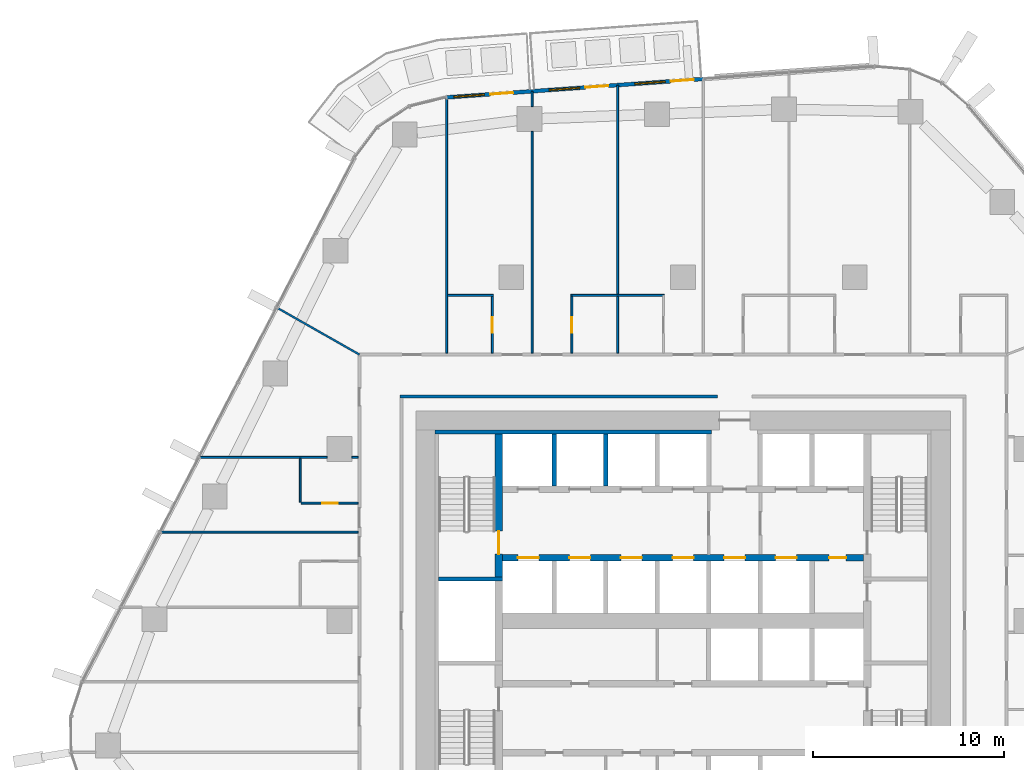
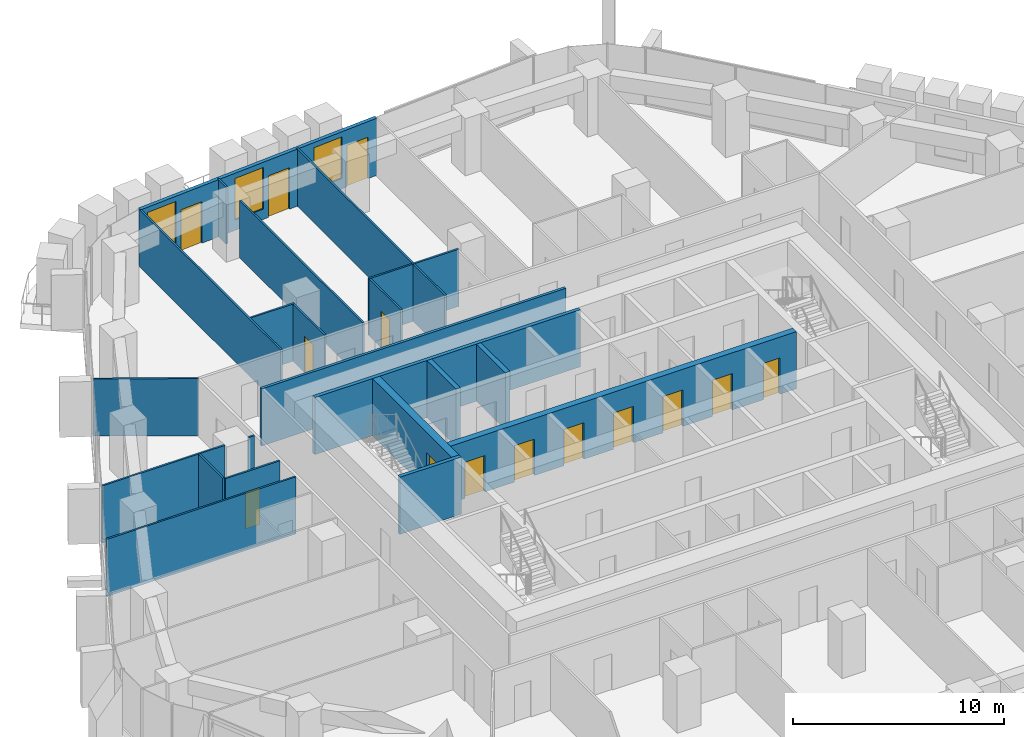
# One storey, part 15 of 24: 24 walls, 14 doors, 3 windows, 17 openings.
"""IFC4 building model written with IfcOpenShell, lengths in metres."""

from ifc_helpers import new_model, si_unit, direction, frame, frame_2d, origin, place, context, subcontext, project, spatial, rectangle, extrude, material, layer, layer_set, type_object, element, fill, save


model = new_model("IFC4")

# Units and contexts
model_context = context("Model", 3, precision=1e-05, world=origin(), true_north=direction((0.0, 1.0)))
body_context = subcontext(model_context, "Body", "Model", "MODEL_VIEW")
ifc_project = project(units=[si_unit("LENGTHUNIT", "METRE"), si_unit("AREAUNIT", "SQUARE_METRE"), si_unit("VOLUMEUNIT", "CUBIC_METRE"), si_unit("PLANEANGLEUNIT", "RADIAN"), si_unit("MASSUNIT", "GRAM", prefix="KILO")], contexts=[model_context])

# Site, building, storey
site_placement = place(None, origin())
site = spatial("IfcSite", under=ifc_project, at=site_placement, CompositionType="ELEMENT")
building_placement = place(site_placement, origin())
building = spatial("IfcBuilding", under=site, at=building_placement, Name="Dongbaek Canopy Tower", CompositionType="ELEMENT")
storey_placement = place(building_placement, frame((0.0, 0.0, 106.300048828125)))
storey = spatial("IfcBuildingStorey", under=building, at=storey_placement, Name="L22", CompositionType="ELEMENT", Elevation=106.300048828125)

# Wall, openings, doors
ifc_material_1 = material(Name="Concrete C60/75", Category="concrete")
ifc_layer_1 = layer(ifc_material_1, 0.35009765625)
ifc_layer_set_1 = layer_set([ifc_layer_1], Name="Core lobby wall 350 Concrete C60/75")
wall_type_1 = type_object("IfcWallType", Name="Core lobby wall 350 Concrete C60/75", PredefinedType="SHEAR", material=ifc_layer_set_1)
wall_1_placement = place(storey_placement, frame((9.449951171875, 3.300048828125, 0.0), z_axis=(0.0, 0.0, 1.0), x_axis=(-1.0, 0.0, 0.0)))
wall_1 = element("IfcWall", 1, at=wall_1_placement, inside=storey, type_object=wall_type_1, Name="Core wall", PredefinedType="SHEAR", context=body_context, shape_type="SweptSolid", body=[
    extrude(rectangle(XDim=18.89990234375, YDim=0.35009765625, at=frame_2d((9.449951171875, 0.0))), origin(), (0.0, 0.0, 1.0), 3.300048828125),
])
opening_1_placement = place(wall_1_placement, frame((17.0, 0.0, 0.0)))
opening_1 = element("IfcOpeningElement", 2, at=opening_1_placement, cuts=wall_1, Name="Opening L22-D050", PredefinedType="OPENING", context=body_context, shape_type="SweptSolid", body=[
    extrude(rectangle(XDim=1.10009765625, YDim=2.10009765625, at=frame_2d((0.550048828125, 1.050048828125))), frame((0.0, 0.18505859375, 0.0), z_axis=(0.0, -1.0, 0.0), x_axis=(1.0, 0.0, 0.0)), (0.0, 0.0, 1.0), 0.3701171875),
])
opening_2_placement = place(wall_1_placement, frame((14.300048828125, 0.0, 0.0)))
opening_2 = element("IfcOpeningElement", 3, at=opening_2_placement, cuts=wall_1, Name="Opening L22-D051", PredefinedType="OPENING", context=body_context, shape_type="SweptSolid", body=[
    extrude(rectangle(XDim=1.10009765625, YDim=2.10009765625, at=frame_2d((0.550048828125, 1.050048828125))), frame((0.0, 0.18505859375, 0.0), z_axis=(0.0, -1.0, 0.0), x_axis=(1.0, 0.0, 0.0)), (0.0, 0.0, 1.0), 0.3701171875),
])
opening_3_placement = place(wall_1_placement, frame((11.60009765625, 0.0, 0.0)))
opening_3 = element("IfcOpeningElement", 4, at=opening_3_placement, cuts=wall_1, Name="Opening L22-D052", PredefinedType="OPENING", context=body_context, shape_type="SweptSolid", body=[
    extrude(rectangle(XDim=1.10009765625, YDim=2.10009765625, at=frame_2d((0.550048828125, 1.050048828125))), frame((0.0, 0.18505859375, 0.0), z_axis=(0.0, -1.0, 0.0), x_axis=(1.0, 0.0, 0.0)), (0.0, 0.0, 1.0), 0.3701171875),
])
opening_4_placement = place(wall_1_placement, frame((8.89990234375, 0.0, 0.0)))
opening_4 = element("IfcOpeningElement", 5, at=opening_4_placement, cuts=wall_1, Name="Opening L22-D053", PredefinedType="OPENING", context=body_context, shape_type="SweptSolid", body=[
    extrude(rectangle(XDim=1.10009765625, YDim=2.10009765625, at=frame_2d((0.550048828125, 1.050048828125))), frame((0.0, 0.18505859375, 0.0), z_axis=(0.0, -1.0, 0.0), x_axis=(1.0, 0.0, 0.0)), (0.0, 0.0, 1.0), 0.3701171875),
])
opening_5_placement = place(wall_1_placement, frame((6.199951171875, 0.0, 0.0)))
opening_5 = element("IfcOpeningElement", 6, at=opening_5_placement, cuts=wall_1, Name="Opening L22-D054", PredefinedType="OPENING", context=body_context, shape_type="SweptSolid", body=[
    extrude(rectangle(XDim=1.10009765625, YDim=2.10009765625, at=frame_2d((0.550048828125, 1.050048828125))), frame((0.0, 0.18505859375, 0.0), z_axis=(0.0, -1.0, 0.0), x_axis=(1.0, 0.0, 0.0)), (0.0, 0.0, 1.0), 0.3701171875),
])
opening_6_placement = place(wall_1_placement, frame((3.5, 0.0, 0.0)))
opening_6 = element("IfcOpeningElement", 7, at=opening_6_placement, cuts=wall_1, Name="Opening L22-D055", PredefinedType="OPENING", context=body_context, shape_type="SweptSolid", body=[
    extrude(rectangle(XDim=1.10009765625, YDim=2.10009765625, at=frame_2d((0.550048828125, 1.050048828125))), frame((0.0, 0.18505859375, 0.0), z_axis=(0.0, -1.0, 0.0), x_axis=(1.0, 0.0, 0.0)), (0.0, 0.0, 1.0), 0.3701171875),
])
opening_7_placement = place(wall_1_placement, frame((0.89990234375, 0.0, 0.0)))
opening_7 = element("IfcOpeningElement", 8, at=opening_7_placement, cuts=wall_1, Name="Opening L22-D056", PredefinedType="OPENING", context=body_context, shape_type="SweptSolid", body=[
    extrude(rectangle(XDim=0.89990234375, YDim=2.10009765625, at=frame_2d((0.449951171875, 1.050048828125))), frame((0.0, 0.18505859375, 0.0), z_axis=(0.0, -1.0, 0.0), x_axis=(1.0, 0.0, 0.0)), (0.0, 0.0, 1.0), 0.3701171875),
])
ifc_material_2 = material(Name="Steel", Category="steel")
door_type_1 = type_object("IfcDoorType", Name="Core room door 900 x 2100", OperationType="SINGLE_SWING_LEFT", PredefinedType="DOOR", material=ifc_material_2)
door_1_placement = place(opening_7_placement, origin())
door_1 = element("IfcDoor", 9, at=door_1_placement, inside=storey, type_object=door_type_1, Name="Door L22-D056", OperationType="SINGLE_SWING_LEFT", OverallHeight=2.10009765625, OverallWidth=0.89990234375, PredefinedType="DOOR", context=body_context, shape_type="SweptSolid", body=[
    extrude(rectangle(XDim=0.89990234375, YDim=2.10009765625, at=frame_2d((0.449951171875, 1.050048828125))), frame((0.0, 0.02490234375, 0.0), z_axis=(0.0, -1.0, 0.0), x_axis=(1.0, 0.0, 0.0)), (0.0, 0.0, 1.0), 0.050048828125),
])
fill(opening_7, door_1)
ifc_material_3 = material(Name="Stainless steel", Category="steel")
door_type_2 = type_object("IfcDoorType", Name="Lift landing door 1100 x 2100", OperationType="DOUBLE_DOOR_SLIDING", PredefinedType="DOOR", material=ifc_material_3)
door_2_placement = place(opening_1_placement, origin())
door_2 = element("IfcDoor", 10, at=door_2_placement, inside=storey, type_object=door_type_2, Name="Landing door LR5", OperationType="DOUBLE_DOOR_SLIDING", OverallHeight=2.10009765625, OverallWidth=1.10009765625, PredefinedType="DOOR", context=body_context, shape_type="SweptSolid", body=[
    extrude(rectangle(XDim=1.10009765625, YDim=2.10009765625, at=frame_2d((0.550048828125, 1.050048828125))), frame((0.0, 0.02490234375, 0.0), z_axis=(0.0, -1.0, 0.0), x_axis=(1.0, 0.0, 0.0)), (0.0, 0.0, 1.0), 0.050048828125),
])
fill(opening_1, door_2)
door_3_placement = place(opening_2_placement, origin())
door_3 = element("IfcDoor", 11, at=door_3_placement, inside=storey, type_object=door_type_2, Name="Landing door LR6", OperationType="DOUBLE_DOOR_SLIDING", OverallHeight=2.10009765625, OverallWidth=1.10009765625, PredefinedType="DOOR", context=body_context, shape_type="SweptSolid", body=[
    extrude(rectangle(XDim=1.10009765625, YDim=2.10009765625, at=frame_2d((0.550048828125, 1.050048828125))), frame((0.0, 0.02490234375, 0.0), z_axis=(0.0, -1.0, 0.0), x_axis=(1.0, 0.0, 0.0)), (0.0, 0.0, 1.0), 0.050048828125),
])
fill(opening_2, door_3)
door_4_placement = place(opening_3_placement, origin())
door_4 = element("IfcDoor", 12, at=door_4_placement, inside=storey, type_object=door_type_2, Name="Landing door LR7", OperationType="DOUBLE_DOOR_SLIDING", OverallHeight=2.10009765625, OverallWidth=1.10009765625, PredefinedType="DOOR", context=body_context, shape_type="SweptSolid", body=[
    extrude(rectangle(XDim=1.10009765625, YDim=2.10009765625, at=frame_2d((0.550048828125, 1.050048828125))), frame((0.0, 0.02490234375, 0.0), z_axis=(0.0, -1.0, 0.0), x_axis=(1.0, 0.0, 0.0)), (0.0, 0.0, 1.0), 0.050048828125),
])
fill(opening_3, door_4)
door_5_placement = place(opening_4_placement, origin())
door_5 = element("IfcDoor", 13, at=door_5_placement, inside=storey, type_object=door_type_2, Name="Landing door LR8", OperationType="DOUBLE_DOOR_SLIDING", OverallHeight=2.10009765625, OverallWidth=1.10009765625, PredefinedType="DOOR", context=body_context, shape_type="SweptSolid", body=[
    extrude(rectangle(XDim=1.10009765625, YDim=2.10009765625, at=frame_2d((0.550048828125, 1.050048828125))), frame((0.0, 0.02490234375, 0.0), z_axis=(0.0, -1.0, 0.0), x_axis=(1.0, 0.0, 0.0)), (0.0, 0.0, 1.0), 0.050048828125),
])
fill(opening_4, door_5)
door_6_placement = place(opening_5_placement, origin())
door_6 = element("IfcDoor", 14, at=door_6_placement, inside=storey, type_object=door_type_2, Name="Landing door SV1", OperationType="DOUBLE_DOOR_SLIDING", OverallHeight=2.10009765625, OverallWidth=1.10009765625, PredefinedType="DOOR", context=body_context, shape_type="SweptSolid", body=[
    extrude(rectangle(XDim=1.10009765625, YDim=2.10009765625, at=frame_2d((0.550048828125, 1.050048828125))), frame((0.0, 0.02490234375, 0.0), z_axis=(0.0, -1.0, 0.0), x_axis=(1.0, 0.0, 0.0)), (0.0, 0.0, 1.0), 0.050048828125),
])
fill(opening_5, door_6)
door_7_placement = place(opening_6_placement, origin())
door_7 = element("IfcDoor", 15, at=door_7_placement, inside=storey, type_object=door_type_2, Name="Landing door FF3", OperationType="DOUBLE_DOOR_SLIDING", OverallHeight=2.10009765625, OverallWidth=1.10009765625, PredefinedType="DOOR", context=body_context, shape_type="SweptSolid", body=[
    extrude(rectangle(XDim=1.10009765625, YDim=2.10009765625, at=frame_2d((0.550048828125, 1.050048828125))), frame((0.0, 0.02490234375, 0.0), z_axis=(0.0, -1.0, 0.0), x_axis=(1.0, 0.0, 0.0)), (0.0, 0.0, 1.0), 0.050048828125),
])
fill(opening_6, door_7)

# Walls
ifc_material_4 = material(Name="Concrete C60/75", Category="concrete")
ifc_layer_2 = layer(ifc_material_4, 0.199951171875)
ifc_layer_set_2 = layer_set([ifc_layer_2], Name="Core wall lining 200 Concrete C60/75")
wall_type_2 = type_object("IfcWallType", Name="Core wall lining 200 Concrete C60/75", PredefinedType="SHEAR", material=ifc_layer_set_2)
wall_2_placement = place(storey_placement, frame((-13.0, 9.89990234375, 0.0), z_axis=(0.0, 0.0, 1.0), x_axis=(1.0, 0.0, 0.0)))
element("IfcWall", 16, at=wall_2_placement, inside=storey, type_object=wall_type_2, Name="Core wall lining", PredefinedType="SHEAR", context=body_context, shape_type="SweptSolid", body=[
    extrude(rectangle(XDim=14.5, YDim=0.199951171875, at=frame_2d((7.25, 0.0))), origin(), (0.0, 0.0, 1.0), 3.300048828125),
])
ifc_material_5 = material(Name="Gypsum board partition, steel stud, 2 x 15 mm fire board", Category="steel")
ifc_layer_3 = layer(ifc_material_5, 0.14990234375)
ifc_layer_set_3 = layer_set([ifc_layer_3], Name="Fire-rated partition 150 gypsum board")
wall_type_3 = type_object("IfcWallType", Name="Fire-rated partition 150 gypsum board", PredefinedType="PARTITIONING", material=ifc_layer_set_3)
wall_3_placement = place(storey_placement, frame((-14.824951171875, 11.75, 0.0), z_axis=(0.0, 0.0, 1.0), x_axis=(1.0, 0.0, 0.0)))
element("IfcWall", 17, at=wall_3_placement, inside=storey, type_object=wall_type_3, Name="Corridor partition", PredefinedType="PARTITIONING", context=body_context, shape_type="SweptSolid", body=[
    extrude(rectangle(XDim=16.625, YDim=0.14990234375, at=frame_2d((8.3125, 0.0))), origin(), (0.0, 0.0, 1.0), 3.300048828125),
])
ifc_material_6 = material(Name="Concrete C40/50", Category="concrete")
ifc_layer_4 = layer(ifc_material_6, 0.25)
ifc_layer_set_4 = layer_set([ifc_layer_4], Name="Lift shaft wall 250 Concrete C40/50")
wall_type_4 = type_object("IfcWallType", Name="Lift shaft wall 250 Concrete C40/50", PredefinedType="SOLIDWALL", material=ifc_layer_set_4)
for number, where, z_axis, x_axis, name in (
    (18, (-4.050048828125, 7.074951171875, 0.0), (0.0, 0.0, 1.0), (0.0, 1.0, 0.0), "Lift shaft wall"),
    (19, (-6.75, 7.074951171875, 0.0), (0.0, 0.0, 1.0), (0.0, 1.0, 0.0), "Lift shaft wall"),
):
    element("IfcWall", number, at=place(storey_placement, frame(where, z_axis=z_axis, x_axis=x_axis)), inside=storey, type_object=wall_type_4, Name=name, PredefinedType="SOLIDWALL", context=body_context, shape_type="SweptSolid", body=[
        extrude(rectangle(XDim=2.72509765625, YDim=0.25, at=frame_2d((1.362548828125, 0.0))), origin(), (0.0, 0.0, 1.0), 3.300048828125),
    ])
ifc_material_7 = material(Name="Gypsum board partition, steel stud, 2 x 12.5 mm board", Category="steel")
ifc_layer_5 = layer(ifc_material_7, 0.10009765625)
ifc_layer_set_5 = layer_set([ifc_layer_5], Name="Partition 100 gypsum board")
wall_type_5 = type_object("IfcWallType", Name="Partition 100 gypsum board", PredefinedType="PARTITIONING", material=ifc_layer_set_5)
wall_4_placement = place(storey_placement, frame((-27.369140625, 4.64599609375, 0.0), z_axis=(0.0, 0.0, 1.0), x_axis=(1.0, 0.0, 0.0)))
element("IfcWall", 20, at=wall_4_placement, inside=storey, type_object=wall_type_5, Name="Partition", PredefinedType="PARTITIONING", context=body_context, shape_type="SweptSolid", body=[
    extrude(rectangle(XDim=10.34423828125, YDim=0.10009765625, at=frame_2d((5.172119140625, 0.0))), origin(), (0.0, 0.0, 1.0), 3.300048828125),
])

# Wall, opening, door
wall_5_placement = place(storey_placement, frame((-20.0, 6.16796875, 0.0), z_axis=(0.0, 0.0, 1.0), x_axis=(1.0, 0.0, 0.0)))
wall_5 = element("IfcWall", 21, at=wall_5_placement, inside=storey, type_object=wall_type_5, Name="Partition", PredefinedType="PARTITIONING", context=body_context, shape_type="SweptSolid", body=[
    extrude(rectangle(XDim=2.97509765625, YDim=0.10009765625, at=frame_2d((1.487548828125, 0.0))), origin(), (0.0, 0.0, 1.0), 3.300048828125),
])
opening_8_placement = place(wall_5_placement, frame((1.10009765625, 0.0, 0.0)))
opening_8 = element("IfcOpeningElement", 22, at=opening_8_placement, cuts=wall_5, Name="Opening L22-D035", PredefinedType="OPENING", context=body_context, shape_type="SweptSolid", body=[
    extrude(rectangle(XDim=0.800048828125, YDim=2.10009765625, at=frame_2d((0.39990234375, 1.050048828125))), frame((0.0, 0.06005859375, 0.0), z_axis=(0.0, -1.0, 0.0), x_axis=(1.0, 0.0, 0.0)), (0.0, 0.0, 1.0), 0.1201171875),
])
ifc_material_8 = material(Name="Timber veneered door leaf", Category="wood")
door_type_3 = type_object("IfcDoorType", Name="En-suite door 800 x 2100", OperationType="SINGLE_SWING_LEFT", PredefinedType="DOOR", material=ifc_material_8)
door_8_placement = place(opening_8_placement, origin())
door_8 = element("IfcDoor", 23, at=door_8_placement, inside=storey, type_object=door_type_3, Name="Door L22-D035", OperationType="SINGLE_SWING_LEFT", OverallHeight=2.10009765625, OverallWidth=0.800048828125, PredefinedType="DOOR", context=body_context, shape_type="SweptSolid", body=[
    extrude(rectangle(XDim=0.800048828125, YDim=2.10009765625, at=frame_2d((0.39990234375, 1.050048828125))), frame((0.0, 0.02490234375, 0.0), z_axis=(0.0, -1.0, 0.0), x_axis=(1.0, 0.0, 0.0)), (0.0, 0.0, 1.0), 0.050048828125),
])
fill(opening_8, door_8)

# Walls
wall_6_placement = place(storey_placement, frame((-25.33251953125, 8.568115234375, 0.0), z_axis=(0.0, 0.0, 1.0), x_axis=(1.0, 0.0, 0.0)))
element("IfcWall", 24, at=wall_6_placement, inside=storey, type_object=wall_type_5, Name="Partition", PredefinedType="PARTITIONING", context=body_context, shape_type="SweptSolid", body=[
    extrude(rectangle(XDim=6.6826171875, YDim=0.10009765625, at=frame_2d((3.34130859375, 0.0))), origin(), (0.0, 0.0, 1.0), 3.300048828125),
])
wall_7_placement = place(storey_placement, frame((-17.35009765625, 8.568115234375, 0.0), z_axis=(0.0, 0.0, 1.0), x_axis=(1.0, 0.0, 0.0)))
element("IfcWall", 25, at=wall_7_placement, inside=storey, type_object=wall_type_5, Name="Partition", PredefinedType="PARTITIONING", context=body_context, shape_type="SweptSolid", body=[
    extrude(rectangle(XDim=0.3251953125, YDim=0.10009765625, at=frame_2d((0.16259765625, 0.0))), origin(), (0.0, 0.0, 1.0), 3.300048828125),
])
wall_8_placement = place(storey_placement, frame((-12.3369140625, 17.050048828125, 0.0), z_axis=(0.0, 0.0, 1.0), x_axis=(1.0, 0.0, 0.0)))
element("IfcWall", 26, at=wall_8_placement, inside=storey, type_object=wall_type_5, Name="Partition", PredefinedType="PARTITIONING", context=body_context, shape_type="SweptSolid", body=[
    extrude(rectangle(XDim=2.400146484375, YDim=0.10009765625, at=frame_2d((1.2001953125, 0.0))), origin(), (0.0, 0.0, 1.0), 3.300048828125),
])
wall_9_placement = place(storey_placement, frame((-5.873046875, 17.050048828125, 0.0), z_axis=(0.0, 0.0, 1.0), x_axis=(1.0, 0.0, 0.0)))
element("IfcWall", 27, at=wall_9_placement, inside=storey, type_object=wall_type_5, Name="Partition", PredefinedType="PARTITIONING", context=body_context, shape_type="SweptSolid", body=[
    extrude(rectangle(XDim=4.89990234375, YDim=0.10009765625, at=frame_2d((2.449951171875, 0.0))), origin(), (0.0, 0.0, 1.0), 3.300048828125),
])
wall_10_placement = place(storey_placement, frame((-3.423095703125, 14.02490234375, 0.0), z_axis=(0.0, 0.0, 1.0), x_axis=(0.0, 1.0, 0.0)))
element("IfcWall", 28, at=wall_10_placement, inside=storey, type_object=wall_type_5, Name="Partition", PredefinedType="PARTITIONING", context=body_context, shape_type="SweptSolid", body=[
    extrude(rectangle(XDim=2.97509765625, YDim=0.10009765625, at=frame_2d((1.487548828125, 0.0))), origin(), (0.0, 0.0, 1.0), 3.300048828125),
])
wall_11_placement = place(storey_placement, frame((-3.423095703125, 17.10009765625, 0.0), z_axis=(0.0, 0.0, 1.0), x_axis=(0.0, 1.0, 0.0)))
element("IfcWall", 29, at=wall_11_placement, inside=storey, type_object=wall_type_5, Name="Partition", PredefinedType="PARTITIONING", context=body_context, shape_type="SweptSolid", body=[
    extrude(rectangle(XDim=10.946044921875, YDim=0.10009765625, at=frame_2d((5.47314453125, 0.0))), origin(), (0.0, 0.0, 1.0), 3.300048828125),
])

# Wall, opening, door
wall_12_placement = place(storey_placement, frame((-5.822998046875, 17.0, 0.0), z_axis=(0.0, 0.0, 1.0), x_axis=(0.0, -1.0, 0.0)))
wall_12 = element("IfcWall", 30, at=wall_12_placement, inside=storey, type_object=wall_type_5, Name="Partition", PredefinedType="PARTITIONING", context=body_context, shape_type="SweptSolid", body=[
    extrude(rectangle(XDim=2.97509765625, YDim=0.10009765625, at=frame_2d((1.487548828125, 0.0))), origin(), (0.0, 0.0, 1.0), 3.300048828125),
])
opening_9_placement = place(wall_12_placement, frame((1.10009765625, 0.0, 0.0)))
opening_9 = element("IfcOpeningElement", 31, at=opening_9_placement, cuts=wall_12, Name="Opening L22-D029", PredefinedType="OPENING", context=body_context, shape_type="SweptSolid", body=[
    extrude(rectangle(XDim=0.800048828125, YDim=2.10009765625, at=frame_2d((0.39990234375, 1.050048828125))), frame((0.0, 0.06005859375, 0.0), z_axis=(0.0, -1.0, 0.0), x_axis=(1.0, 0.0, 0.0)), (0.0, 0.0, 1.0), 0.1201171875),
])
door_9_placement = place(opening_9_placement, origin())
door_9 = element("IfcDoor", 32, at=door_9_placement, inside=storey, type_object=door_type_3, Name="Door L22-D029", OperationType="SINGLE_SWING_LEFT", OverallHeight=2.10009765625, OverallWidth=0.800048828125, PredefinedType="DOOR", context=body_context, shape_type="SweptSolid", body=[
    extrude(rectangle(XDim=0.800048828125, YDim=2.10009765625, at=frame_2d((0.39990234375, 1.050048828125))), frame((0.0, 0.02490234375, 0.0), z_axis=(0.0, -1.0, 0.0), x_axis=(1.0, 0.0, 0.0)), (0.0, 0.0, 1.0), 0.050048828125),
])
fill(opening_9, door_9)

# Walls
wall_13_placement = place(storey_placement, frame((-7.908935546875, 14.02490234375, 0.0), z_axis=(0.0, 0.0, 1.0), x_axis=(0.0, 1.0, 0.0)))
element("IfcWall", 33, at=wall_13_placement, inside=storey, type_object=wall_type_5, Name="Partition", PredefinedType="PARTITIONING", context=body_context, shape_type="SweptSolid", body=[
    extrude(rectangle(XDim=11.613037109375, YDim=0.10009765625, at=frame_2d((5.806640625, 0.0))), origin(), (0.0, 0.0, 1.0), 3.300048828125),
])
wall_14_placement = place(storey_placement, frame((-7.908935546875, 26.93798828125, 0.0), z_axis=(0.0, 0.0, 1.0), x_axis=(0.0, 1.0, 0.0)))
element("IfcWall", 34, at=wall_14_placement, inside=storey, type_object=wall_type_5, Name="Partition", PredefinedType="PARTITIONING", context=body_context, shape_type="SweptSolid", body=[
    extrude(rectangle(XDim=0.785400390625, YDim=0.10009765625, at=frame_2d((0.392578125, 0.0))), origin(), (0.0, 0.0, 1.0), 3.300048828125),
])

# Wall, opening, door
wall_15_placement = place(storey_placement, frame((-9.987060546875, 14.02490234375, 0.0), z_axis=(0.0, 0.0, 1.0), x_axis=(0.0, 1.0, 0.0)))
wall_15 = element("IfcWall", 35, at=wall_15_placement, inside=storey, type_object=wall_type_5, Name="Partition", PredefinedType="PARTITIONING", context=body_context, shape_type="SweptSolid", body=[
    extrude(rectangle(XDim=2.97509765625, YDim=0.10009765625, at=frame_2d((1.487548828125, 0.0))), origin(), (0.0, 0.0, 1.0), 3.300048828125),
])
opening_10_placement = place(wall_15_placement, frame((1.074951171875, 0.0, 0.0)))
opening_10 = element("IfcOpeningElement", 36, at=opening_10_placement, cuts=wall_15, Name="Opening L22-D031", PredefinedType="OPENING", context=body_context, shape_type="SweptSolid", body=[
    extrude(rectangle(XDim=0.800048828125, YDim=2.10009765625, at=frame_2d((0.39990234375, 1.050048828125))), frame((0.0, 0.06005859375, 0.0), z_axis=(0.0, -1.0, 0.0), x_axis=(1.0, 0.0, 0.0)), (0.0, 0.0, 1.0), 0.1201171875),
])
door_10_placement = place(opening_10_placement, origin())
door_10 = element("IfcDoor", 37, at=door_10_placement, inside=storey, type_object=door_type_3, Name="Door L22-D031", OperationType="SINGLE_SWING_RIGHT", OverallHeight=2.10009765625, OverallWidth=0.800048828125, PredefinedType="DOOR", context=body_context, shape_type="SweptSolid", body=[
    extrude(rectangle(XDim=0.800048828125, YDim=2.10009765625, at=frame_2d((0.39990234375, 1.050048828125))), frame((0.0, 0.02490234375, 0.0), z_axis=(0.0, -1.0, 0.0), x_axis=(1.0, 0.0, 0.0)), (0.0, 0.0, 1.0), 0.050048828125),
])
fill(opening_10, door_10)

# Walls
wall_16_placement = place(storey_placement, frame((-12.386962890625, 14.02490234375, 0.0), z_axis=(0.0, 0.0, 1.0), x_axis=(0.0, 1.0, 0.0)))
element("IfcWall", 38, at=wall_16_placement, inside=storey, type_object=wall_type_5, Name="Partition", PredefinedType="PARTITIONING", context=body_context, shape_type="SweptSolid", body=[
    extrude(rectangle(XDim=13.3759765625, YDim=0.10009765625, at=frame_2d((6.68798828125, 0.0))), origin(), (0.0, 0.0, 1.0), 3.300048828125),
])
wall_17_placement = place(storey_placement, frame((-20.050048828125, 6.2177734375, 0.0), z_axis=(0.0, 0.0, 1.0), x_axis=(0.0, 1.0, 0.0)))
element("IfcWall", 39, at=wall_17_placement, inside=storey, type_object=wall_type_5, Name="Partition", PredefinedType="PARTITIONING", context=body_context, shape_type="SweptSolid", body=[
    extrude(rectangle(XDim=2.2998046875, YDim=0.10009765625, at=frame_2d((1.14990234375, 0.0))), origin(), (0.0, 0.0, 1.0), 3.300048828125),
])
wall_18_placement = place(storey_placement, frame((-21.26416015625, 16.4013671875, 0.0), z_axis=(0.0, 0.0, 1.0), x_axis=(0.869409483432, -0.494092248592, 0.0)))
element("IfcWall", 40, at=wall_18_placement, inside=storey, type_object=wall_type_5, Name="Partition", PredefinedType="PARTITIONING", context=body_context, shape_type="SweptSolid", body=[
    extrude(rectangle(XDim=4.9619140625, YDim=0.10009765625, at=frame_2d((2.48095703125, 0.0))), origin(), (0.0, 0.0, 1.0), 3.300048828125),
])
ifc_material_9 = material(Name="Concrete C60/75", Category="concrete")
ifc_layer_6 = layer(ifc_material_9, 0.199951171875)
ifc_layer_set_6 = layer_set([ifc_layer_6], Name="Riser wall 200 Concrete C60/75")
wall_type_6 = type_object("IfcWallType", Name="Riser wall 200 Concrete C60/75", PredefinedType="SHEAR", material=ifc_layer_set_6)
wall_19_placement = place(storey_placement, frame((-9.449951171875, 2.199951171875, 0.0), z_axis=(0.0, 0.0, 1.0), x_axis=(-1.0, 0.0, 0.0)))
element("IfcWall", 41, at=wall_19_placement, inside=storey, type_object=wall_type_6, Name="Riser wall", PredefinedType="SHEAR", context=body_context, shape_type="SweptSolid", body=[
    extrude(rectangle(XDim=3.35009765625, YDim=0.199951171875, at=frame_2d((1.675048828125, 0.0))), origin(), (0.0, 0.0, 1.0), 3.300048828125),
])

# Wall, opening, door
ifc_material_10 = material(Name="Concrete C60/75", Category="concrete")
ifc_layer_7 = layer(ifc_material_10, 0.39990234375)
ifc_layer_set_7 = layer_set([ifc_layer_7], Name="Stair wall 400 Concrete C60/75")
wall_type_7 = type_object("IfcWallType", Name="Stair wall 400 Concrete C60/75", PredefinedType="SHEAR", material=ifc_layer_set_7)
wall_20_placement = place(storey_placement, frame((-9.64990234375, 2.300048828125, 0.0), z_axis=(0.0, 0.0, 1.0), x_axis=(0.0, 1.0, 0.0)))
wall_20 = element("IfcWall", 42, at=wall_20_placement, inside=storey, type_object=wall_type_7, Name="Stair wall", PredefinedType="SHEAR", context=body_context, shape_type="SweptSolid", body=[
    extrude(rectangle(XDim=7.5, YDim=0.39990234375, at=frame_2d((3.75, 0.0))), origin(), (0.0, 0.0, 1.0), 3.300048828125),
])
opening_11_placement = place(wall_20_placement, frame((1.199951171875, 0.0, 0.0)))
opening_11 = element("IfcOpeningElement", 43, at=opening_11_placement, cuts=wall_20, Name="Opening L22-D066", PredefinedType="OPENING", context=body_context, shape_type="SweptSolid", body=[
    extrude(rectangle(XDim=1.199951171875, YDim=2.10009765625, at=frame_2d((0.60009765625, 1.050048828125))), frame((0.0, 0.2099609375, 0.0), z_axis=(0.0, -1.0, 0.0), x_axis=(1.0, 0.0, 0.0)), (0.0, 0.0, 1.0), 0.419921875),
])
ifc_material_11 = material(Name="Steel", Category="steel")
door_type_4 = type_object("IfcDoorType", Name="Stair door 1200 x 2100", OperationType="SINGLE_SWING_LEFT", PredefinedType="DOOR", material=ifc_material_11)
door_11_placement = place(opening_11_placement, origin())
door_11 = element("IfcDoor", 44, at=door_11_placement, inside=storey, type_object=door_type_4, Name="Stair C door", OperationType="SINGLE_SWING_RIGHT", OverallHeight=2.10009765625, OverallWidth=1.199951171875, PredefinedType="DOOR", context=body_context, shape_type="SweptSolid", body=[
    extrude(rectangle(XDim=1.199951171875, YDim=2.10009765625, at=frame_2d((0.60009765625, 1.050048828125))), frame((0.0, 0.02490234375, 0.0), z_axis=(0.0, -1.0, 0.0), x_axis=(1.0, 0.0, 0.0)), (0.0, 0.0, 1.0), 0.050048828125),
])
fill(opening_11, door_11)

# Wall, openings, doors, windows
ifc_material_12 = material(Name="Aluminium window wall", Category="aluminium")
ifc_layer_8 = layer(ifc_material_12, 0.199951171875)
ifc_layer_set_8 = layer_set([ifc_layer_8], Name="Window wall 200")
wall_type_8 = type_object("IfcWallType", Name="Window wall 200", PredefinedType="SOLIDWALL", material=ifc_layer_set_8)
wall_21_placement = place(storey_placement, frame((1.06298828125, 28.388916015625, 0.0), z_axis=(0.0, 0.0, 1.0), x_axis=(-0.997421921005, -0.071760096847, 0.0)))
wall_21 = element("IfcWall", 45, at=wall_21_placement, inside=storey, type_object=wall_type_8, Name="Window wall L22 2", PredefinedType="SOLIDWALL", context=body_context, shape_type="SweptSolid", body=[
    extrude(rectangle(XDim=8.995361328125, YDim=0.199951171875, at=frame_2d((4.49755859375, 0.0))), origin(), (0.0, 0.0, 1.0), 3.300048828125),
])
opening_12_placement = place(wall_21_placement, frame((2.0, 0.0, 0.60009765625)))
opening_12 = element("IfcOpeningElement", 46, at=opening_12_placement, cuts=wall_21, Name="Opening W1", PredefinedType="OPENING", context=body_context, shape_type="SweptSolid", body=[
    extrude(rectangle(XDim=1.60009765625, YDim=2.39990234375, at=frame_2d((0.800048828125, 1.199951171875))), frame((0.0, 0.10986328125, 0.0), z_axis=(0.0, -1.0, 0.0), x_axis=(1.0, 0.0, 0.0)), (0.0, 0.0, 1.0), 0.219970703125),
])
opening_13_placement = place(wall_21_placement, frame((0.5, 0.0, 0.0)))
opening_13 = element("IfcOpeningElement", 47, at=opening_13_placement, cuts=wall_21, Name="Opening L22-B04", PredefinedType="OPENING", context=body_context, shape_type="SweptSolid", body=[
    extrude(rectangle(XDim=1.199951171875, YDim=2.39990234375, at=frame_2d((0.60009765625, 1.199951171875))), frame((0.0, 0.10986328125, 0.0), z_axis=(0.0, -1.0, 0.0), x_axis=(1.0, 0.0, 0.0)), (0.0, 0.0, 1.0), 0.219970703125),
])
opening_14_placement = place(wall_21_placement, frame((6.49755859375, 0.0, 0.60009765625)))
opening_14 = element("IfcOpeningElement", 48, at=opening_14_placement, cuts=wall_21, Name="Opening W1", PredefinedType="OPENING", context=body_context, shape_type="SweptSolid", body=[
    extrude(rectangle(XDim=1.60009765625, YDim=2.39990234375, at=frame_2d((0.800048828125, 1.199951171875))), frame((0.0, 0.10986328125, 0.0), z_axis=(0.0, -1.0, 0.0), x_axis=(1.0, 0.0, 0.0)), (0.0, 0.0, 1.0), 0.219970703125),
])
opening_15_placement = place(wall_21_placement, frame((4.99755859375, 0.0, 0.0)))
opening_15 = element("IfcOpeningElement", 49, at=opening_15_placement, cuts=wall_21, Name="Opening L22-B05", PredefinedType="OPENING", context=body_context, shape_type="SweptSolid", body=[
    extrude(rectangle(XDim=1.199951171875, YDim=2.39990234375, at=frame_2d((0.60009765625, 1.199951171875))), frame((0.0, 0.10986328125, 0.0), z_axis=(0.0, -1.0, 0.0), x_axis=(1.0, 0.0, 0.0)), (0.0, 0.0, 1.0), 0.219970703125),
])
ifc_material_13 = material(Name="Clear glazing in aluminium frame", Category="aluminium")
door_type_5 = type_object("IfcDoorType", Name="Balcony door BD1 1200 x 2400", OperationType="SLIDING_TO_LEFT", PredefinedType="DOOR", material=ifc_material_13)
door_12_placement = place(opening_13_placement, origin())
door_12 = element("IfcDoor", 50, at=door_12_placement, inside=storey, type_object=door_type_5, Name="Balcony door L22-B04", OperationType="SLIDING_TO_LEFT", OverallHeight=2.39990234375, OverallWidth=1.199951171875, PredefinedType="DOOR", context=body_context, shape_type="SweptSolid", body=[
    extrude(rectangle(XDim=1.199951171875, YDim=2.39990234375, at=frame_2d((0.60009765625, 1.199951171875))), frame((0.0, 0.02490234375, 0.0), z_axis=(0.0, -1.0, 0.0), x_axis=(1.0, 0.0, 0.0)), (0.0, 0.0, 1.0), 0.050048828125),
])
fill(opening_13, door_12)
door_13_placement = place(opening_15_placement, origin())
door_13 = element("IfcDoor", 51, at=door_13_placement, inside=storey, type_object=door_type_5, Name="Balcony door L22-B05", OperationType="SLIDING_TO_LEFT", OverallHeight=2.39990234375, OverallWidth=1.199951171875, PredefinedType="DOOR", context=body_context, shape_type="SweptSolid", body=[
    extrude(rectangle(XDim=1.199951171875, YDim=2.39990234375, at=frame_2d((0.60009765625, 1.199951171875))), frame((0.0, 0.02490234375, 0.0), z_axis=(0.0, -1.0, 0.0), x_axis=(1.0, 0.0, 0.0)), (0.0, 0.0, 1.0), 0.050048828125),
])
fill(opening_15, door_13)
ifc_material_14 = material(Name="Clear glazing in aluminium frame", Category="aluminium")
window_type = type_object("IfcWindowType", Name="Window W1 1600 x 2400", PartitioningType="SINGLE_PANEL", PredefinedType="WINDOW", material=ifc_material_14)
window_1_placement = place(opening_12_placement, origin())
window_1 = element("IfcWindow", 52, at=window_1_placement, inside=storey, type_object=window_type, Name="Window L22 2.1", OverallHeight=2.39990234375, OverallWidth=1.60009765625, PartitioningType="SINGLE_PANEL", PredefinedType="WINDOW", context=body_context, shape_type="SweptSolid", body=[
    extrude(rectangle(XDim=1.60009765625, YDim=2.39990234375, at=frame_2d((0.800048828125, 1.199951171875))), frame((0.0, 0.030029296875, 0.0), z_axis=(0.0, -1.0, 0.0), x_axis=(1.0, 0.0, 0.0)), (0.0, 0.0, 1.0), 0.06005859375),
])
fill(opening_12, window_1)
window_2_placement = place(opening_14_placement, origin())
window_2 = element("IfcWindow", 53, at=window_2_placement, inside=storey, type_object=window_type, Name="Window L22 2.2", OverallHeight=2.39990234375, OverallWidth=1.60009765625, PartitioningType="SINGLE_PANEL", PredefinedType="WINDOW", context=body_context, shape_type="SweptSolid", body=[
    extrude(rectangle(XDim=1.60009765625, YDim=2.39990234375, at=frame_2d((0.800048828125, 1.199951171875))), frame((0.0, 0.030029296875, 0.0), z_axis=(0.0, -1.0, 0.0), x_axis=(1.0, 0.0, 0.0)), (0.0, 0.0, 1.0), 0.06005859375),
])
fill(opening_14, window_2)

# Wall, openings, door, window
wall_22_placement = place(storey_placement, frame((-7.9091796875, 27.743408203125, 0.0), z_axis=(0.0, 0.0, 1.0), x_axis=(-0.997423796537, -0.071734023317, 0.0)))
wall_22 = element("IfcWall", 54, at=wall_22_placement, inside=storey, type_object=wall_type_8, Name="Window wall L22 7", PredefinedType="SOLIDWALL", context=body_context, shape_type="SweptSolid", body=[
    extrude(rectangle(XDim=4.489013671875, YDim=0.199951171875, at=frame_2d((2.24462890625, 0.0))), origin(), (0.0, 0.0, 1.0), 3.300048828125),
])
opening_16_placement = place(wall_22_placement, frame((2.5, 0.0, 0.60009765625)))
opening_16 = element("IfcOpeningElement", 55, at=opening_16_placement, cuts=wall_22, Name="Opening W1", PredefinedType="OPENING", context=body_context, shape_type="SweptSolid", body=[
    extrude(rectangle(XDim=1.60009765625, YDim=2.39990234375, at=frame_2d((0.800048828125, 1.199951171875))), frame((0.0, 0.10986328125, 0.0), z_axis=(0.0, -1.0, 0.0), x_axis=(1.0, 0.0, 0.0)), (0.0, 0.0, 1.0), 0.219970703125),
])
opening_17_placement = place(wall_22_placement, frame((1.0, 0.0, 0.0)))
opening_17 = element("IfcOpeningElement", 56, at=opening_17_placement, cuts=wall_22, Name="Opening L22-B06", PredefinedType="OPENING", context=body_context, shape_type="SweptSolid", body=[
    extrude(rectangle(XDim=1.199951171875, YDim=2.39990234375, at=frame_2d((0.60009765625, 1.199951171875))), frame((0.0, 0.10986328125, 0.0), z_axis=(0.0, -1.0, 0.0), x_axis=(1.0, 0.0, 0.0)), (0.0, 0.0, 1.0), 0.219970703125),
])
door_14_placement = place(opening_17_placement, origin())
door_14 = element("IfcDoor", 57, at=door_14_placement, inside=storey, type_object=door_type_5, Name="Balcony door L22-B06", OperationType="SLIDING_TO_LEFT", OverallHeight=2.39990234375, OverallWidth=1.199951171875, PredefinedType="DOOR", context=body_context, shape_type="SweptSolid", body=[
    extrude(rectangle(XDim=1.199951171875, YDim=2.39990234375, at=frame_2d((0.60009765625, 1.199951171875))), frame((0.0, 0.02490234375, 0.0), z_axis=(0.0, -1.0, 0.0), x_axis=(1.0, 0.0, 0.0)), (0.0, 0.0, 1.0), 0.050048828125),
])
fill(opening_17, door_14)
window_3_placement = place(opening_16_placement, origin())
window_3 = element("IfcWindow", 58, at=window_3_placement, inside=storey, type_object=window_type, Name="Window L22 7.1", OverallHeight=2.39990234375, OverallWidth=1.60009765625, PartitioningType="SINGLE_PANEL", PredefinedType="WINDOW", context=body_context, shape_type="SweptSolid", body=[
    extrude(rectangle(XDim=1.60009765625, YDim=2.39990234375, at=frame_2d((0.800048828125, 1.199951171875))), frame((0.0, 0.030029296875, 0.0), z_axis=(0.0, -1.0, 0.0), x_axis=(1.0, 0.0, 0.0)), (0.0, 0.0, 1.0), 0.06005859375),
])
fill(opening_16, window_3)

save(model, "model.ifc")
